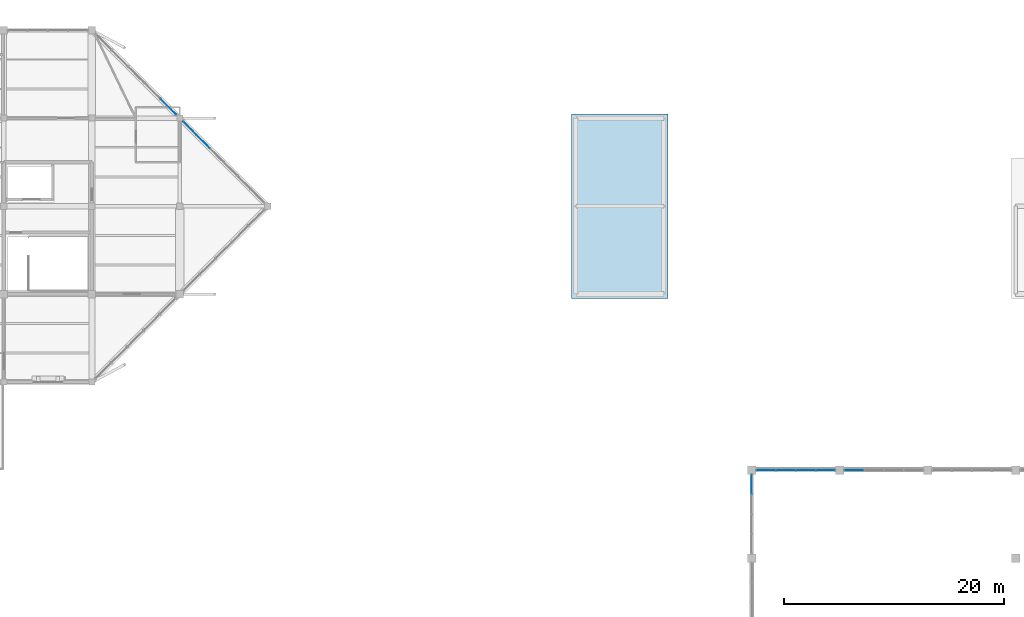
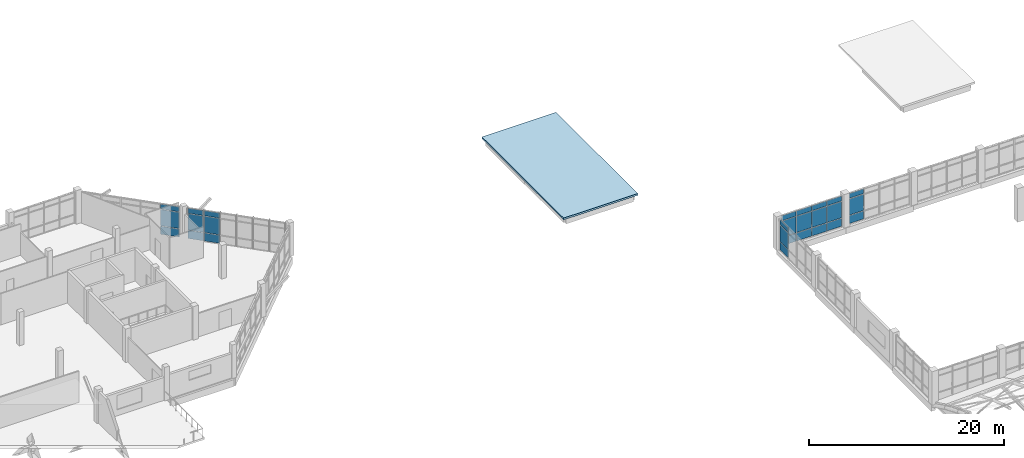
# One storey, part 57 of 72: 27 plates, 1 slab, 5 elements without a shape of their own.
"""IFC4 building model written with IfcOpenShell, lengths in metres."""

from ifc_helpers import new_model, si_unit, direction, frame, origin, origin_2d, place, context, subcontext, project, spatial, polyline, rectangle, outline, extrude, material, layer, layer_set, type_object, element, aggregate, save


model = new_model("IFC4")

# Units and contexts
model_context = context("Model", 3, precision=1e-05, world=origin(), true_north=direction((0.0, 1.0)))
body_context = subcontext(model_context, "Body", "Model", "MODEL_VIEW")
ifc_project = project(units=[si_unit("LENGTHUNIT", "METRE"), si_unit("AREAUNIT", "SQUARE_METRE"), si_unit("VOLUMEUNIT", "CUBIC_METRE"), si_unit("PLANEANGLEUNIT", "RADIAN"), si_unit("MASSUNIT", "GRAM", prefix="KILO")], contexts=[model_context])

# Site, building, storey
site_placement = place(None, origin())
site = spatial("IfcSite", under=ifc_project, at=site_placement, CompositionType="ELEMENT")
building_placement = place(site_placement, origin())
building = spatial("IfcBuilding", under=site, at=building_placement, Name="Tenunan Teduh Sports Hall", CompositionType="ELEMENT")
storey_placement = place(building_placement, frame((0.0, 0.0, 15.0)))
storey = spatial("IfcBuildingStorey", under=building, at=storey_placement, Name="L03", CompositionType="ELEMENT", Elevation=15.0)

# Curtain wall, plates
ifc_material_1 = material(Name="Anodised aluminium", Category="aluminium")
curtain_wall_type = type_object("IfcCurtainWallType", Name="CW-UNIT-2", PredefinedType="NOTDEFINED", material=ifc_material_1)
curtain_wall_1_placement = place(storey_placement, origin())
curtain_wall_1 = element("IfcCurtainWall", 1, at=curtain_wall_1_placement, inside=storey, type_object=curtain_wall_type, Name="CW-CWM-175-L03-138", PredefinedType="NOTDEFINED")
ifc_material_2 = material(Name="Low-E laminated double glazing", Category="glass")
ifc_layer_1 = layer(ifc_material_2, 0.028076171875)
ifc_layer_set_1 = layer_set([ifc_layer_1], Name="Low-E laminated double glazing")
plate_type_1 = type_object("IfcPlateType", Name="CWP-GLZ-28", PredefinedType="CURTAIN_PANEL", material=ifc_layer_set_1)
plate_1_placement = place(storey_placement, frame((123.297607421875, 78.0, 1.13232421875), z_axis=(0.0, 0.0, 1.0), x_axis=(1.0, 0.0, 0.0)))
plate_1 = element("IfcPlate", 2, at=plate_1_placement, type_object=plate_type_1, Name="CW-02 panel 1.2", PredefinedType="CURTAIN_PANEL", context=body_context, shape_type="SweptSolid", body=[
    extrude(rectangle(XDim=1.715087890625, YDim=0.028076171875, at=origin_2d()), origin(), (0.0, 0.0, 1.0), 2.034912109375),
])
plate_2_placement = place(storey_placement, frame((123.297607421875, 78.0, 3.232421875), z_axis=(0.0, 0.0, 1.0), x_axis=(1.0, 0.0, 0.0)))
plate_2 = element("IfcPlate", 3, at=plate_2_placement, type_object=plate_type_1, Name="CW-02 panel 1.3", PredefinedType="CURTAIN_PANEL", context=body_context, shape_type="SweptSolid", body=[
    extrude(rectangle(XDim=1.715087890625, YDim=0.028076171875, at=origin_2d()), origin(), (0.0, 0.0, 1.0), 0.62255859375),
])
plate_3_placement = place(storey_placement, frame((125.09375, 78.0, 1.13232421875), z_axis=(0.0, 0.0, 1.0), x_axis=(1.0, 0.0, 0.0)))
plate_3 = element("IfcPlate", 4, at=plate_3_placement, type_object=plate_type_1, Name="CW-02 panel 2.2", PredefinedType="CURTAIN_PANEL", context=body_context, shape_type="SweptSolid", body=[
    extrude(rectangle(XDim=1.74755859375, YDim=0.028076171875, at=origin_2d()), origin(), (0.0, 0.0, 1.0), 2.034912109375),
])
plate_4_placement = place(storey_placement, frame((125.09375, 78.0, 3.232421875), z_axis=(0.0, 0.0, 1.0), x_axis=(1.0, 0.0, 0.0)))
plate_4 = element("IfcPlate", 5, at=plate_4_placement, type_object=plate_type_1, Name="CW-02 panel 2.3", PredefinedType="CURTAIN_PANEL", context=body_context, shape_type="SweptSolid", body=[
    extrude(rectangle(XDim=1.74755859375, YDim=0.028076171875, at=origin_2d()), origin(), (0.0, 0.0, 1.0), 0.62255859375),
])
plate_5_placement = place(storey_placement, frame((126.90625, 78.0, 1.13232421875), z_axis=(0.0, 0.0, 1.0), x_axis=(1.0, 0.0, 0.0)))
plate_5 = element("IfcPlate", 6, at=plate_5_placement, type_object=plate_type_1, Name="CW-02 panel 3.2", PredefinedType="CURTAIN_PANEL", context=body_context, shape_type="SweptSolid", body=[
    extrude(rectangle(XDim=1.74755859375, YDim=0.028076171875, at=origin_2d()), origin(), (0.0, 0.0, 1.0), 2.034912109375),
])
plate_6_placement = place(storey_placement, frame((126.90625, 78.0, 3.232421875), z_axis=(0.0, 0.0, 1.0), x_axis=(1.0, 0.0, 0.0)))
plate_6 = element("IfcPlate", 7, at=plate_6_placement, type_object=plate_type_1, Name="CW-02 panel 3.3", PredefinedType="CURTAIN_PANEL", context=body_context, shape_type="SweptSolid", body=[
    extrude(rectangle(XDim=1.74755859375, YDim=0.028076171875, at=origin_2d()), origin(), (0.0, 0.0, 1.0), 0.62255859375),
])
plate_7_placement = place(storey_placement, frame((128.702392578125, 78.0, 1.13232421875), z_axis=(0.0, 0.0, 1.0), x_axis=(1.0, 0.0, 0.0)))
plate_7 = element("IfcPlate", 8, at=plate_7_placement, type_object=plate_type_1, Name="CW-02 panel 4.2", PredefinedType="CURTAIN_PANEL", context=body_context, shape_type="SweptSolid", body=[
    extrude(rectangle(XDim=1.715087890625, YDim=0.028076171875, at=origin_2d()), origin(), (0.0, 0.0, 1.0), 2.034912109375),
])
plate_8_placement = place(storey_placement, frame((128.702392578125, 78.0, 3.232421875), z_axis=(0.0, 0.0, 1.0), x_axis=(1.0, 0.0, 0.0)))
plate_8 = element("IfcPlate", 9, at=plate_8_placement, type_object=plate_type_1, Name="CW-02 panel 4.3", PredefinedType="CURTAIN_PANEL", context=body_context, shape_type="SweptSolid", body=[
    extrude(rectangle(XDim=1.715087890625, YDim=0.028076171875, at=origin_2d()), origin(), (0.0, 0.0, 1.0), 0.62255859375),
])

curtain_wall_2_placement = place(storey_placement, origin())
curtain_wall_2 = element("IfcCurtainWall", 10, at=curtain_wall_2_placement, inside=storey, type_object=curtain_wall_type, Name="CW-CWM-200-L03-140", PredefinedType="NOTDEFINED")
plate_9_placement = place(storey_placement, frame((131.298828125, 78.0, 1.134765625), z_axis=(0.0, 0.0, 1.0), x_axis=(1.0, 0.0, 0.0)))
plate_9 = element("IfcPlate", 11, at=plate_9_placement, type_object=plate_type_1, Name="CW-02 panel 1.2", PredefinedType="CURTAIN_PANEL", context=body_context, shape_type="SweptSolid", body=[
    extrude(rectangle(XDim=1.70751953125, YDim=0.028076171875, at=origin_2d()), origin(), (0.0, 0.0, 1.0), 2.030029296875),
])
plate_10_placement = place(storey_placement, frame((131.298828125, 78.0, 3.23486328125), z_axis=(0.0, 0.0, 1.0), x_axis=(1.0, 0.0, 0.0)))
plate_10 = element("IfcPlate", 12, at=plate_10_placement, type_object=plate_type_1, Name="CW-02 panel 1.3", PredefinedType="CURTAIN_PANEL", context=body_context, shape_type="SweptSolid", body=[
    extrude(rectangle(XDim=1.70751953125, YDim=0.028076171875, at=origin_2d()), origin(), (0.0, 0.0, 1.0), 0.614990234375),
])

curtain_wall_3_placement = place(storey_placement, origin())
curtain_wall_3 = element("IfcCurtainWall", 13, at=curtain_wall_3_placement, inside=storey, type_object=curtain_wall_type, Name="CW-CWM-200-L03-224", PredefinedType="NOTDEFINED")
plate_11_placement = place(storey_placement, frame((68.9619140625, 111.0380859375, 1.134765625), z_axis=(0.0, 0.0, 1.0), x_axis=(-0.707106781187, 0.707106781187, 0.0)))
plate_11 = element("IfcPlate", 14, at=plate_11_placement, type_object=plate_type_1, Name="CW-02 panel 1.2", PredefinedType="CURTAIN_PANEL", context=body_context, shape_type="SweptSolid", body=[
    extrude(rectangle(XDim=1.9794921875, YDim=0.028076171875, at=origin_2d()), origin(), (0.0, 0.0, 1.0), 2.030029296875),
])
plate_12_placement = place(storey_placement, frame((68.9619140625, 111.0380859375, 3.23486328125), z_axis=(0.0, 0.0, 1.0), x_axis=(-0.707106781187, 0.707106781187, 0.0)))
plate_12 = element("IfcPlate", 15, at=plate_12_placement, type_object=plate_type_1, Name="CW-02 panel 1.3", PredefinedType="CURTAIN_PANEL", context=body_context, shape_type="SweptSolid", body=[
    extrude(rectangle(XDim=1.9794921875, YDim=0.028076171875, at=origin_2d()), origin(), (0.0, 0.0, 1.0), 0.614990234375),
])

curtain_wall_4_placement = place(storey_placement, origin())
curtain_wall_4 = element("IfcCurtainWall", 16, at=curtain_wall_4_placement, inside=storey, type_object=curtain_wall_type, Name="CW-CWM-150-L03-151", PredefinedType="NOTDEFINED")
ifc_material_3 = material(Name="Solar-control laminated glazing", Category="glass")
ifc_layer_2 = layer(ifc_material_3, 0.031982421875)
ifc_layer_set_2 = layer_set([ifc_layer_2], Name="Solar-control laminated glazing")
plate_type_2 = type_object("IfcPlateType", Name="CWP-GLZ-32", PredefinedType="CURTAIN_PANEL", material=ifc_layer_set_2)
plate_13_placement = place(storey_placement, frame((122.0, 76.703857421875, 1.1298828125), z_axis=(0.0, 0.0, 1.0), x_axis=(0.0, 1.0, 0.0)))
plate_13 = element("IfcPlate", 17, at=plate_13_placement, type_object=plate_type_2, Name="CW-02 panel 4.2", PredefinedType="CURTAIN_PANEL", context=body_context, shape_type="SweptSolid", body=[
    extrude(rectangle(XDim=1.722412109375, YDim=0.031982421875, at=origin_2d()), origin(), (0.0, 0.0, 1.0), 2.0400390625),
])
plate_14_placement = place(storey_placement, frame((122.0, 76.703857421875, 3.22998046875), z_axis=(0.0, 0.0, 1.0), x_axis=(0.0, 1.0, 0.0)))
plate_14 = element("IfcPlate", 18, at=plate_14_placement, type_object=plate_type_2, Name="CW-02 panel 4.3", PredefinedType="CURTAIN_PANEL", context=body_context, shape_type="SweptSolid", body=[
    extrude(rectangle(XDim=1.722412109375, YDim=0.031982421875, at=origin_2d()), origin(), (0.0, 0.0, 1.0), 0.6298828125),
])

curtain_wall_5_placement = place(storey_placement, origin())
curtain_wall_5 = element("IfcCurtainWall", 19, at=curtain_wall_5_placement, inside=storey, type_object=curtain_wall_type, Name="CW-CWM-150-L03-223", PredefinedType="NOTDEFINED")
plate_15_placement = place(storey_placement, frame((72.1376953125, 107.8623046875, 1.1298828125), z_axis=(0.0, 0.0, 1.0), x_axis=(-0.707106781187, 0.707106781187, 0.0)))
plate_15 = element("IfcPlate", 20, at=plate_15_placement, type_object=plate_type_2, Name="CW-02 panel 5.2", PredefinedType="CURTAIN_PANEL", context=body_context, shape_type="SweptSolid", body=[
    extrude(rectangle(XDim=1.683349609375, YDim=0.031982421875, at=origin_2d()), origin(), (0.0, 0.0, 1.0), 2.0400390625),
])
plate_16_placement = place(storey_placement, frame((72.1376953125, 107.8623046875, 3.22998046875), z_axis=(0.0, 0.0, 1.0), x_axis=(-0.707106781187, 0.707106781187, 0.0)))
plate_16 = element("IfcPlate", 21, at=plate_16_placement, type_object=plate_type_2, Name="CW-02 panel 5.3", PredefinedType="CURTAIN_PANEL", context=body_context, shape_type="SweptSolid", body=[
    extrude(rectangle(XDim=1.683349609375, YDim=0.031982421875, at=origin_2d()), origin(), (0.0, 0.0, 1.0), 0.6298828125),
])
plate_17_placement = place(storey_placement, frame((70.915771484375, 109.084228515625, 1.1298828125), z_axis=(0.0, 0.0, 1.0), x_axis=(-0.707106781187, 0.707106781187, 0.0)))
plate_17 = element("IfcPlate", 22, at=plate_17_placement, type_object=plate_type_2, Name="CW-02 panel 6.2", PredefinedType="CURTAIN_PANEL", context=body_context, shape_type="SweptSolid", body=[
    extrude(rectangle(XDim=1.6533203125, YDim=0.031982421875, at=origin_2d()), origin(), (0.0, 0.0, 1.0), 2.0400390625),
])
plate_18_placement = place(storey_placement, frame((70.915771484375, 109.084228515625, 3.22998046875), z_axis=(0.0, 0.0, 1.0), x_axis=(-0.707106781187, 0.707106781187, 0.0)))
plate_18 = element("IfcPlate", 23, at=plate_18_placement, type_object=plate_type_2, Name="CW-02 panel 6.3", PredefinedType="CURTAIN_PANEL", context=body_context, shape_type="SweptSolid", body=[
    extrude(rectangle(XDim=1.6533203125, YDim=0.031982421875, at=origin_2d()), origin(), (0.0, 0.0, 1.0), 0.6298828125),
])

# Plate
ifc_material_4 = material(Name="Insulated aluminium spandrel panel", Category="aluminium")
ifc_layer_3 = layer(ifc_material_4, 0.044921875)
ifc_layer_set_3 = layer_set([ifc_layer_3], Name="Insulated aluminium spandrel panel")
plate_type_3 = type_object("IfcPlateType", Name="CWP-SPN-45", PredefinedType="CURTAIN_PANEL", material=ifc_layer_set_3)
plate_19_placement = place(storey_placement, frame((123.297607421875, 78.0, 0.06494140625), z_axis=(0.0, 0.0, 1.0), x_axis=(1.0, 0.0, 0.0)))
plate_19 = element("IfcPlate", 24, at=plate_19_placement, type_object=plate_type_3, Name="CW-02 panel 1.1", PredefinedType="CURTAIN_PANEL", context=body_context, shape_type="SweptSolid", body=[
    extrude(rectangle(XDim=1.715087890625, YDim=0.028076171875, at=origin_2d()), origin(), (0.0, 0.0, 1.0), 1.00244140625),
])

plate_20_placement = place(storey_placement, frame((125.09375, 78.0, 0.06494140625), z_axis=(0.0, 0.0, 1.0), x_axis=(1.0, 0.0, 0.0)))
plate_20 = element("IfcPlate", 25, at=plate_20_placement, type_object=plate_type_3, Name="CW-02 panel 2.1", PredefinedType="CURTAIN_PANEL", context=body_context, shape_type="SweptSolid", body=[
    extrude(rectangle(XDim=1.74755859375, YDim=0.028076171875, at=origin_2d()), origin(), (0.0, 0.0, 1.0), 1.00244140625),
])

plate_21_placement = place(storey_placement, frame((126.90625, 78.0, 0.06494140625), z_axis=(0.0, 0.0, 1.0), x_axis=(1.0, 0.0, 0.0)))
plate_21 = element("IfcPlate", 26, at=plate_21_placement, type_object=plate_type_3, Name="CW-02 panel 3.1", PredefinedType="CURTAIN_PANEL", context=body_context, shape_type="SweptSolid", body=[
    extrude(rectangle(XDim=1.74755859375, YDim=0.028076171875, at=origin_2d()), origin(), (0.0, 0.0, 1.0), 1.00244140625),
])

plate_22_placement = place(storey_placement, frame((128.702392578125, 78.0, 0.06494140625), z_axis=(0.0, 0.0, 1.0), x_axis=(1.0, 0.0, 0.0)))
plate_22 = element("IfcPlate", 27, at=plate_22_placement, type_object=plate_type_3, Name="CW-02 panel 4.1", PredefinedType="CURTAIN_PANEL", context=body_context, shape_type="SweptSolid", body=[
    extrude(rectangle(XDim=1.715087890625, YDim=0.028076171875, at=origin_2d()), origin(), (0.0, 0.0, 1.0), 1.00244140625),
])

aggregate(curtain_wall_1, [plate_19, plate_1, plate_2, plate_20, plate_3, plate_4, plate_21, plate_5, plate_6, plate_22, plate_7, plate_8])

plate_23_placement = place(storey_placement, frame((131.298828125, 78.0, 0.06982421875), z_axis=(0.0, 0.0, 1.0), x_axis=(1.0, 0.0, 0.0)))
plate_23 = element("IfcPlate", 28, at=plate_23_placement, type_object=plate_type_3, Name="CW-02 panel 1.1", PredefinedType="CURTAIN_PANEL", context=body_context, shape_type="SweptSolid", body=[
    extrude(rectangle(XDim=1.70751953125, YDim=0.028076171875, at=origin_2d()), origin(), (0.0, 0.0, 1.0), 0.9951171875),
])

aggregate(curtain_wall_2, [plate_23, plate_9, plate_10])

plate_24_placement = place(storey_placement, frame((122.0, 76.703857421875, 0.06005859375), z_axis=(0.0, 0.0, 1.0), x_axis=(0.0, 1.0, 0.0)))
plate_24 = element("IfcPlate", 29, at=plate_24_placement, type_object=plate_type_3, Name="CW-02 panel 4.1", PredefinedType="CURTAIN_PANEL", context=body_context, shape_type="SweptSolid", body=[
    extrude(rectangle(XDim=1.722412109375, YDim=0.031982421875, at=origin_2d()), origin(), (0.0, 0.0, 1.0), 1.010009765625),
])

aggregate(curtain_wall_4, [plate_24, plate_13, plate_14])

plate_25_placement = place(storey_placement, frame((72.1376953125, 107.8623046875, 0.06005859375), z_axis=(0.0, 0.0, 1.0), x_axis=(-0.707106781187, 0.707106781187, 0.0)))
plate_25 = element("IfcPlate", 30, at=plate_25_placement, type_object=plate_type_3, Name="CW-02 panel 5.1", PredefinedType="CURTAIN_PANEL", context=body_context, shape_type="SweptSolid", body=[
    extrude(rectangle(XDim=1.683349609375, YDim=0.031982421875, at=origin_2d()), origin(), (0.0, 0.0, 1.0), 1.010009765625),
])

plate_26_placement = place(storey_placement, frame((70.915771484375, 109.084228515625, 0.06005859375), z_axis=(0.0, 0.0, 1.0), x_axis=(-0.707106781187, 0.707106781187, 0.0)))
plate_26 = element("IfcPlate", 31, at=plate_26_placement, type_object=plate_type_3, Name="CW-02 panel 6.1", PredefinedType="CURTAIN_PANEL", context=body_context, shape_type="SweptSolid", body=[
    extrude(rectangle(XDim=1.6533203125, YDim=0.031982421875, at=origin_2d()), origin(), (0.0, 0.0, 1.0), 1.010009765625),
])

aggregate(curtain_wall_5, [plate_25, plate_15, plate_16, plate_26, plate_17, plate_18])

plate_27_placement = place(storey_placement, frame((68.9619140625, 111.0380859375, 0.06982421875), z_axis=(0.0, 0.0, 1.0), x_axis=(-0.707106781187, 0.707106781187, 0.0)))
plate_27 = element("IfcPlate", 32, at=plate_27_placement, type_object=plate_type_3, Name="CW-02 panel 1.1", PredefinedType="CURTAIN_PANEL", context=body_context, shape_type="SweptSolid", body=[
    extrude(rectangle(XDim=1.9794921875, YDim=0.028076171875, at=origin_2d()), origin(), (0.0, 0.0, 1.0), 0.9951171875),
])

aggregate(curtain_wall_3, [plate_27, plate_11, plate_12])

# Slab
ifc_material_5 = material(Name="Concrete C40/50", Category="concrete")
ifc_layer_4 = layer(ifc_material_5, 0.22998046875)
ifc_layer_set_4 = layer_set([ifc_layer_4], Name="Concrete C40/50")
slab_type = type_object("IfcSlabType", Name="SLB-ROOF-230", PredefinedType="ROOF", material=ifc_layer_set_4)
slab_placement = place(storey_placement, frame((0.0, 0.0, -0.22998046875)))
element("IfcSlab", 33, at=slab_placement, inside=storey, type_object=slab_type, Name="SL-L03-OVR-E1", PredefinedType="ROOF", context=body_context, shape_type="SweptSolid", body=[
    extrude(outline(polyline([(105.60009765625, 93.60009765625), (114.39990234375, 93.60009765625), (114.39990234375, 110.39990234375), (105.60009765625, 110.39990234375), (105.60009765625, 93.60009765625)])), origin(), (0.0, 0.0, 1.0), 0.22998046875),
])

save(model, "model.ifc")
